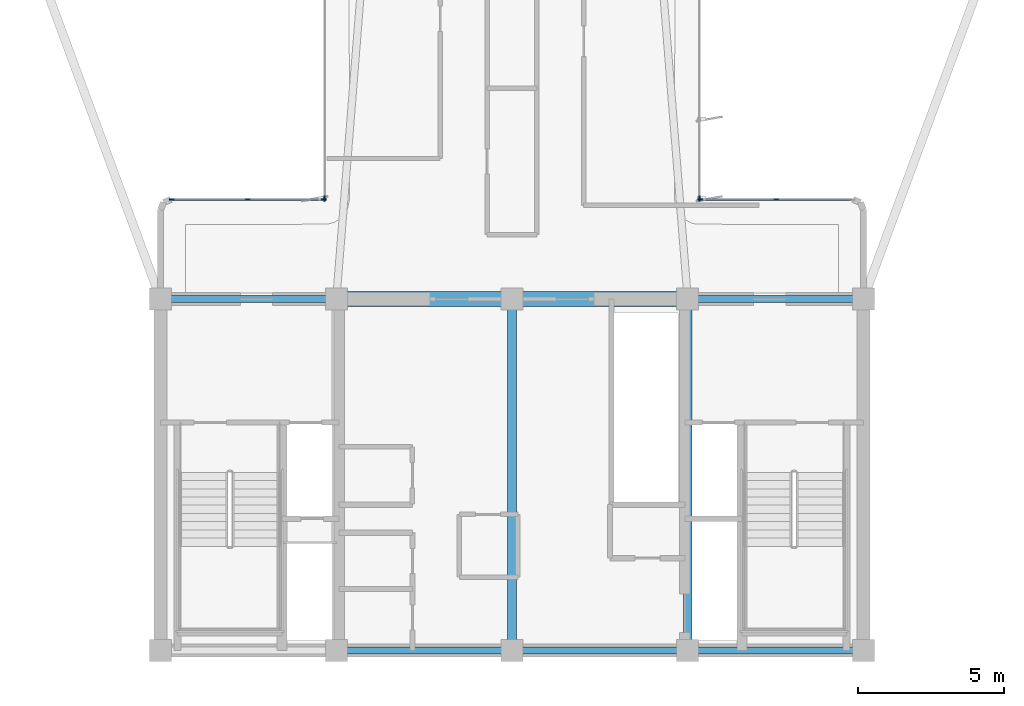
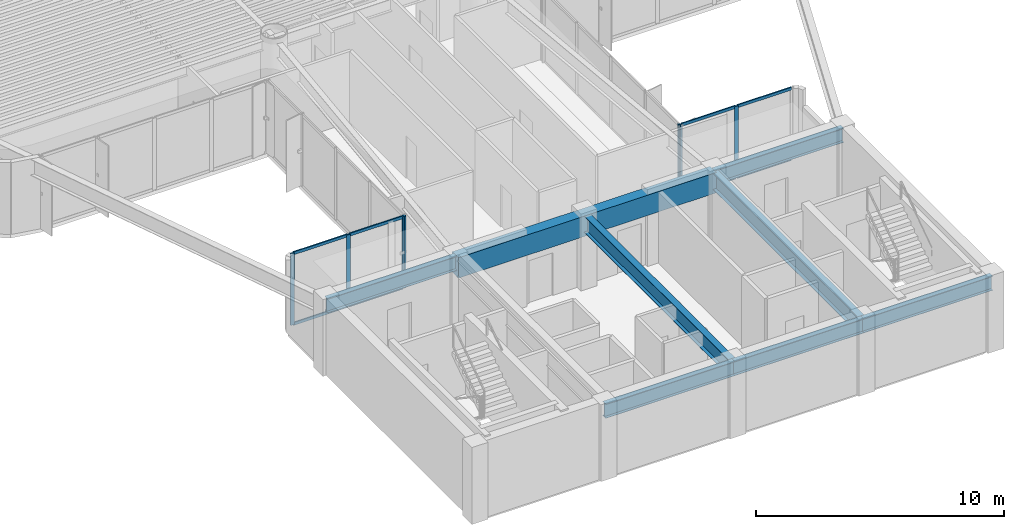
# One storey, part 2 of 15: 15 members, 8 beams, 4 elements without a shape of their own.
"""IFC4 building model written with IfcOpenShell, lengths in metres."""

import ifcopenshell
import ifcopenshell.guid

model = None  # the IFC model being written
_history = None  # IfcOwnerHistory: only IFC2X3 demands one
_inside = {}  # id of a spatial element -> (the spatial element, [elements in it])
_under = {}  # id of a project, library or spatial element -> (it, [spatial elements below it])
_declared = {}  # id of a project -> (the project, [libraries it declares])
_typed = {}  # id of a type object -> (the type object, [elements of that type])
_made_of = {}  # id of a material, layer set ... -> (it, [elements and type objects made of it])


def new_model(schema):
    """Start an empty IFC model of exactly this schema.

    Asked for "IFC4X3", IfcOpenShell would pick the latest addendum, in which some entities
    have other attributes; the version numbers below select the first issue.
    IFC2X3 requires an IfcOwnerHistory on every rooted entity: one is made here for all.
    """
    global model, _history
    if schema == "IFC4X3":
        model = ifcopenshell.file(schema_version=(4, 3, 0, 0))
    else:
        model = ifcopenshell.file(schema=schema)
    _inside.clear()
    _under.clear()
    _declared.clear()
    _typed.clear()
    _made_of.clear()
    _history = None
    if model.schema == "IFC2X3":
        org = make("IfcOrganization", Name="unknown")
        user = make(
            "IfcPersonAndOrganization",
            ThePerson=make("IfcPerson", FamilyName="unknown"),
            TheOrganization=org,
        )
        app = make(
            "IfcApplication",
            ApplicationDeveloper=org,
            Version="unknown",
            ApplicationFullName="unknown",
            ApplicationIdentifier="unknown",
        )
        _history = make(
            "IfcOwnerHistory",
            OwningUser=user,
            OwningApplication=app,
            ChangeAction="ADDED",
            CreationDate=0,
        )
    return model


def make(cls, **values):
    """One entity of the class cls with the attributes given. An attribute that is None is left unset."""
    return model.create_entity(
        cls, **{name: value for name, value in values.items() if value is not None}
    )


def rooted(cls, **values):
    """An entity with a GlobalId (a new one), such as an element, a storey or a relation."""
    return make(cls, GlobalId=ifcopenshell.guid.new(), OwnerHistory=_history, **values)


def si_unit(unit_type, name, prefix=None):
    """IfcSIUnit, for example si_unit("LENGTHUNIT", "METRE", prefix="MILLI")."""
    return make("IfcSIUnit", UnitType=unit_type, Prefix=prefix, Name=name)


def assignment(units):
    """IfcUnitAssignment: the units of a project."""
    return None if units is None else make("IfcUnitAssignment", Units=units)


def point(xyz):
    """IfcCartesianPoint."""
    return None if xyz is None else make("IfcCartesianPoint", Coordinates=xyz)


def direction(xyz):
    """IfcDirection."""
    return None if xyz is None else make("IfcDirection", DirectionRatios=xyz)


def frame(location, z_axis=None, x_axis=None):
    """IfcAxis2Placement3D, a coordinate frame: its origin and axes. An axis left out is left unset."""
    return make(
        "IfcAxis2Placement3D",
        Location=point(location),
        Axis=direction(z_axis),
        RefDirection=direction(x_axis),
    )


def frame_2d(location, x_axis=None):
    """IfcAxis2Placement2D, a coordinate frame in the plane: its origin and x axis."""
    return make(
        "IfcAxis2Placement2D", Location=point(location), RefDirection=direction(x_axis)
    )


def origin():
    """The frame at (0, 0, 0) with its axes left unset."""
    return frame((0.0, 0.0, 0.0))


def origin_2d():
    """The frame at (0, 0) in the plane with its x axis left unset."""
    return frame_2d((0.0, 0.0))


def place(relative_to, where):
    """IfcLocalPlacement: puts the frame where relative to a parent placement (None: the world)."""
    return make(
        "IfcLocalPlacement", PlacementRelTo=relative_to, RelativePlacement=where
    )


def context(
    kind, dimensions, precision=None, world=None, true_north=None, identifier=None
):
    """IfcGeometricRepresentationContext, for example the 3D "Model" context."""
    return make(
        "IfcGeometricRepresentationContext",
        ContextIdentifier=identifier,
        ContextType=kind,
        CoordinateSpaceDimension=dimensions,
        Precision=precision,
        WorldCoordinateSystem=world,
        TrueNorth=true_north,
    )


def subcontext(parent, identifier, kind, view, scale=None):
    """IfcGeometricRepresentationSubContext, for example "Body" below "Model"."""
    return make(
        "IfcGeometricRepresentationSubContext",
        ContextIdentifier=identifier,
        ContextType=kind,
        ParentContext=parent,
        TargetScale=scale,
        TargetView=view,
    )


def project(units=None, contexts=None):
    """IfcProject with its units and contexts."""
    return rooted(
        "IfcProject",
        Name="project",
        RepresentationContexts=contexts,
        UnitsInContext=assignment(units),
    )


def spatial(cls, under=None, at=None, **own):
    """A site, building, storey or space (cls), placed at a placement, below another one or the project."""
    s = rooted(cls, ObjectPlacement=at, **own)
    if under is not None:
        _under.setdefault(under.id(), (under, []))[1].append(s)
    return s


def profile(cls, at=None, kind="AREA", **sizes):
    """A parametric profile (cls). Its sizes go by their IFC names, for example OverallWidth=200.0."""
    return make(cls, ProfileType=kind, Position=at, **sizes)


def rectangle(**sizes):
    """IfcRectangleProfileDef."""
    return profile("IfcRectangleProfileDef", **sizes)


def i_section(**sizes):
    """IfcIShapeProfileDef."""
    return profile("IfcIShapeProfileDef", **sizes)


def extrude(swept, where, along, depth):
    """IfcExtrudedAreaSolid: the profile swept, set in the frame where, extruded along a direction by depth."""
    return make(
        "IfcExtrudedAreaSolid",
        SweptArea=swept,
        Position=where,
        ExtrudedDirection=direction(along),
        Depth=depth,
    )


def shape(context_of_items, identifier, shape_type, items):
    """IfcShapeRepresentation: the items that make up one representation, for example the "Body"."""
    return make(
        "IfcShapeRepresentation",
        ContextOfItems=context_of_items,
        RepresentationIdentifier=identifier,
        RepresentationType=shape_type,
        Items=items,
    )


def source(mapping_origin, context_of_items, identifier, shape_type, items):
    """IfcRepresentationMap: a shape defined once, which mapped items show again and again."""
    return make(
        "IfcRepresentationMap",
        MappingOrigin=mapping_origin,
        MappedRepresentation=shape(context_of_items, identifier, shape_type, items),
    )


def transform(
    local_origin,
    x_axis=None,
    y_axis=None,
    z_axis=None,
    scale=None,
    scale2=None,
    scale3=None,
    uniform=True,
):
    """IfcCartesianTransformationOperator3D, or its non-uniform kind. x_axis, y_axis, z_axis: its Axis1, 2, 3."""
    if uniform:
        return make(
            "IfcCartesianTransformationOperator3D",
            Axis1=direction(x_axis),
            Axis2=direction(y_axis),
            LocalOrigin=point(local_origin),
            Scale=scale,
            Axis3=direction(z_axis),
        )
    return make(
        "IfcCartesianTransformationOperator3DnonUniform",
        Axis1=direction(x_axis),
        Axis2=direction(y_axis),
        LocalOrigin=point(local_origin),
        Scale=scale,
        Axis3=direction(z_axis),
        Scale2=scale2,
        Scale3=scale3,
    )


def mapped(mapping_source, mapping_target):
    """IfcMappedItem: shows the shape of a source again, moved by a transform."""
    return make(
        "IfcMappedItem", MappingSource=mapping_source, MappingTarget=mapping_target
    )


def material(Name=None, Category=None):
    """IfcMaterial."""
    return make("IfcMaterial", Name=Name, Category=Category)


def layer(
    of_material, thickness, ventilated=None, Name=None, Category=None, Priority=None
):
    """IfcMaterialLayer: one layer of a wall or slab, of a material (None: an air gap)."""
    return make(
        "IfcMaterialLayer",
        Material=of_material,
        LayerThickness=thickness,
        IsVentilated=ventilated,
        Name=Name,
        Category=Category,
        Priority=Priority,
    )


def layer_set(layers, Name=None):
    """IfcMaterialLayerSet."""
    return make("IfcMaterialLayerSet", MaterialLayers=layers, LayerSetName=Name)


def material_profile(
    of_material, cross_section, Name=None, Category=None, Priority=None
):
    """IfcMaterialProfile: a cross section and its material."""
    return make(
        "IfcMaterialProfile",
        Name=Name,
        Material=of_material,
        Profile=cross_section,
        Priority=Priority,
        Category=Category,
    )


def profile_set(profiles, Name=None, composite=None):
    """IfcMaterialProfileSet."""
    return make(
        "IfcMaterialProfileSet",
        Name=Name,
        MaterialProfiles=profiles,
        CompositeProfile=composite,
    )


def made_of(thing, what):
    """Note that an element or type object is made of a material, layer set ...; save() writes the relation."""
    if what is not None:
        _made_of.setdefault(what.id(), (what, []))[1].append(thing)
    return thing


def type_object(cls, material=None, **own):
    """A type object (cls), such as IfcWallType, which elements share."""
    return made_of(rooted(cls, **own), material)


def element(
    cls,
    number,
    at=None,
    inside=None,
    cuts=None,
    type_object=None,
    material=None,
    context=None,
    identifier="Body",
    shape_type=None,
    held_by="IfcProductDefinitionShape",
    body=None,
    shapes=None,
    **own,
):
    """One element of the class cls, such as IfcWall. Its Tag is "e" and its number.

    at: its placement. inside: the storey or other place that contains it. cuts: it is an
    opening in that element (IfcRelVoidsElement). A single representation is given by context,
    identifier, shape_type and body (its items); several are given by shapes. held_by: the class
    of the entity that holds the representations. save() writes the other relations.
    """
    e = rooted(cls, Tag="e%d" % number, ObjectPlacement=at, **own)
    if body is not None:
        shapes = [shape(context, identifier, shape_type, body)]
    if shapes is not None:
        e.Representation = make(held_by, Representations=shapes)
    if inside is not None:
        _inside.setdefault(inside.id(), (inside, []))[1].append(e)
    if cuts is not None:
        rooted(
            "IfcRelVoidsElement", RelatingBuildingElement=cuts, RelatedOpeningElement=e
        )
    if type_object is not None:
        _typed.setdefault(type_object.id(), (type_object, []))[1].append(e)
    return made_of(e, material)


def aggregate(whole, parts):
    """IfcRelAggregates: a whole, such as a stair, and the parts it consists of."""
    return rooted("IfcRelAggregates", RelatingObject=whole, RelatedObjects=parts)


def save(model, path):
    """Write the relations noted so far, then the file.

    IfcRelAggregates (storeys below a building ...), IfcRelContainedInSpatialStructure (elements
    in a storey), IfcRelDefinesByType, IfcRelAssociatesMaterial and IfcRelDeclares: one each for
    every whole, place, type object, material and project.
    """
    for whole, parts in _under.values():
        aggregate(whole, parts)
    for where, things in _inside.values():
        rooted(
            "IfcRelContainedInSpatialStructure",
            RelatedElements=things,
            RelatingStructure=where,
        )
    for kind, things in _typed.values():
        rooted("IfcRelDefinesByType", RelatedObjects=things, RelatingType=kind)
    for what, things in _made_of.values():
        rooted("IfcRelAssociatesMaterial", RelatedObjects=things, RelatingMaterial=what)
    for by, libraries in _declared.values():
        rooted("IfcRelDeclares", RelatingContext=by, RelatedDefinitions=libraries)
    model.write(path)


model = new_model("IFC4")

# Units and contexts
model_context = context("Model", 3, precision=1e-05, world=origin(), true_north=direction((0.0, 1.0)))
body_context = subcontext(model_context, "Body", "Model", "MODEL_VIEW")
ifc_project = project(units=[si_unit("LENGTHUNIT", "METRE"), si_unit("AREAUNIT", "SQUARE_METRE"), si_unit("VOLUMEUNIT", "CUBIC_METRE"), si_unit("PLANEANGLEUNIT", "RADIAN"), si_unit("MASSUNIT", "GRAM", prefix="KILO")], contexts=[model_context])

# Site, building, storey
site_placement = place(None, origin())
site = spatial("IfcSite", under=ifc_project, at=site_placement, CompositionType="ELEMENT")
building_placement = place(site_placement, origin())
building = spatial("IfcBuilding", under=site, at=building_placement, Name="Brelvock Crest Care Tower", CompositionType="ELEMENT")
storey_placement = place(building_placement, frame((0.0, 0.0, 167.760009765625)))
storey = spatial("IfcBuildingStorey", under=building, at=storey_placement, Name="L42", CompositionType="ELEMENT", Elevation=167.760009765625)

# Beams
ifc_material_1 = material(Name="Steel Grade 350", Category="steel")
ifc_material_profile_1 = material_profile(ifc_material_1, i_section(OverallWidth=0.25, OverallDepth=0.699951171875, WebThickness=0.011962890625, FlangeThickness=0.02001953125, at=origin_2d()), Name="700WB150")
ifc_profile_set_1 = profile_set([ifc_material_profile_1], Name="Steel Grade 350")
beam_type_1 = type_object("IfcBeamType", Name="BM-G4", PredefinedType="BEAM", material=ifc_profile_set_1)
shared_shape_1 = source(origin(), body_context, "Body", "SweptSolid", [
    extrude(i_section(OverallWidth=0.25, OverallDepth=0.699951171875, WebThickness=0.011962890625, FlangeThickness=0.02001953125, at=origin_2d()), origin(), (0.0, 0.0, 1.0), 6.0),
])
for number, where, z_axis, x_axis, name in (
    (1, (24.0, 18.0, 3.179931640625), (1.0, 0.0, 0.0), (0.0, 1.0, 0.0), "BM-COREN-L42-1"),
    (2, (30.0, 6.0, 3.179931640625), (1.0, 0.0, 0.0), (0.0, 1.0, 0.0), "BM-CORES-L42-2"),
    (3, (36.0, 6.0, 3.179931640625), (1.0, 0.0, 0.0), (0.0, 1.0, 0.0), "BM-CORES-L42-3"),
    (4, (42.0, 6.0, 3.179931640625), (1.0, 0.0, 0.0), (0.0, 1.0, 0.0), "BM-CORES-L42-4"),
    (5, (42.0, 18.0, 3.179931640625), (1.0, 0.0, 0.0), (0.0, 1.0, 0.0), "BM-COREN-L42-4"),
):
    element("IfcBeam", number, at=place(storey_placement, frame(where, z_axis=z_axis, x_axis=x_axis)), inside=storey, type_object=beam_type_1, Name=name, PredefinedType="BEAM", context=body_context, shape_type="MappedRepresentation", body=[
        mapped(shared_shape_1, transform((0.0, 0.0, 0.0), x_axis=(1.0, 0.0, 0.0), y_axis=(0.0, 1.0, 0.0), z_axis=(0.0, 0.0, 1.0), scale=1.0)),
    ])
ifc_material_profile_2 = material_profile(ifc_material_1, i_section(OverallWidth=0.300048828125, OverallDepth=0.800048828125, WebThickness=0.013916015625, FlangeThickness=0.02197265625, at=origin_2d()), Name="800WB192")
ifc_profile_set_2 = profile_set([ifc_material_profile_2], Name="Steel Grade 350")
beam_type_2 = type_object("IfcBeamType", Name="BM-G5", PredefinedType="BEAM", material=ifc_profile_set_2)
shared_shape_2 = source(origin(), body_context, "Body", "SweptSolid", [
    extrude(i_section(OverallWidth=0.300048828125, OverallDepth=0.800048828125, WebThickness=0.013916015625, FlangeThickness=0.02197265625, at=origin_2d()), origin(), (0.0, 0.0, 1.0), 12.0),
])
for number, where, z_axis, x_axis, name in (
    (6, (36.0, 6.0, 3.1298828125), (0.0, 1.0, 0.0), (-1.0, 0.0, 0.0), "BM-COREX-L42-3"),
    (7, (42.0, 6.0, 3.1298828125), (0.0, 1.0, 0.0), (-1.0, 0.0, 0.0), "BM-COREX-L42-4"),
):
    element("IfcBeam", number, at=place(storey_placement, frame(where, z_axis=z_axis, x_axis=x_axis)), inside=storey, type_object=beam_type_2, Name=name, PredefinedType="BEAM", context=body_context, shape_type="MappedRepresentation", body=[
        mapped(shared_shape_2, transform((0.0, 0.0, 0.0), x_axis=(1.0, 0.0, 0.0), y_axis=(0.0, 1.0, 0.0), z_axis=(0.0, 0.0, 1.0), scale=1.0)),
    ])
ifc_material_2 = material(Name="Concrete S65 (65 MPa)", Category="concrete")
ifc_material_profile_3 = material_profile(ifc_material_2, rectangle(XDim=0.5, YDim=1.0, at=origin_2d()), Name="RC500x1000")
ifc_profile_set_3 = profile_set([ifc_material_profile_3], Name="Concrete S65 (65 MPa)")
beam_type_3 = type_object("IfcBeamType", Name="BM-LN2", PredefinedType="LINTEL", material=ifc_profile_set_3)
shared_shape_3 = source(origin(), body_context, "Body", "SweptSolid", [
    extrude(rectangle(XDim=0.5, YDim=1.0, at=origin_2d()), origin(), (0.0, 0.0, 1.0), 12.0),
])
beam_placement = place(storey_placement, frame((30.0, 18.0, 3.030029296875), z_axis=(1.0, 0.0, 0.0), x_axis=(0.0, 1.0, 0.0)))
element("IfcBeam", 8, at=beam_placement, inside=storey, type_object=beam_type_3, Name="L42 Core Coupling Lintel Beam", PredefinedType="LINTEL", context=body_context, shape_type="MappedRepresentation", body=[
    mapped(shared_shape_3, transform((0.0, 0.0, 0.0), x_axis=(1.0, 0.0, 0.0), y_axis=(0.0, 1.0, 0.0), z_axis=(0.0, 0.0, 1.0), scale=1.0)),
])

# Curtain wall, members
ifc_material_3 = material(Name="Dark Glass Double Glazed Low-E", Category="glass")
ifc_layer = layer(ifc_material_3, 0.22509765625, Name="CWS-4")
ifc_layer_set = layer_set([ifc_layer], Name="Dark Glass Double Glazed Low-E")
curtain_wall_type = type_object("IfcCurtainWallType", Name="CWS-4", PredefinedType="NOTDEFINED", material=ifc_layer_set)
curtain_wall_1_placement = place(storey_placement, origin())
curtain_wall_1 = element("IfcCurtainWall", 9, at=curtain_wall_1_placement, inside=storey, type_object=curtain_wall_type, Name="L42 Curtain Wall E10", PredefinedType="NOTDEFINED")
ifc_material_4 = material(Name="Aluminium 6063-T6", Category="aluminium")
ifc_material_profile_4 = material_profile(ifc_material_4, rectangle(XDim=0.06005859375, YDim=0.179931640625, at=origin_2d()), Name="ALU60x180")
ifc_profile_set_4 = profile_set([ifc_material_profile_4], Name="Aluminium 6063-T6")
member_type_1 = type_object("IfcMemberType", Name="CWM-2", PredefinedType="MULLION", material=ifc_profile_set_4)
shared_shape_4 = source(origin(), body_context, "Body", "SweptSolid", [
    extrude(rectangle(XDim=0.06005859375, YDim=0.179931640625, at=origin_2d()), origin(), (0.0, 0.0, 1.0), 3.530029296875),
])
member_1_placement = place(storey_placement, frame((24.3798828125, 21.39990234375, 0.0), z_axis=(0.0, 0.0, 1.0), x_axis=(0.0, 1.0, 0.0)))
member_1 = element("IfcMember", 10, at=member_1_placement, type_object=member_type_1, Name="CW-4 mullion 1", PredefinedType="MULLION", context=body_context, shape_type="MappedRepresentation", body=[
    mapped(shared_shape_4, transform((0.0, 0.0, 0.0), x_axis=(1.0, 0.0, 0.0), y_axis=(0.0, 1.0, 0.0), z_axis=(0.0, 0.0, 1.0), scale=1.0)),
])
member_2_placement = place(storey_placement, frame((26.97509765625, 21.39990234375, 0.0), z_axis=(0.0, 0.0, 1.0), x_axis=(0.0, 1.0, 0.0)))
member_2 = element("IfcMember", 11, at=member_2_placement, type_object=member_type_1, Name="CW-4 mullion 2", PredefinedType="MULLION", context=body_context, shape_type="MappedRepresentation", body=[
    mapped(shared_shape_4, transform((0.0, 0.0, 0.0), x_axis=(1.0, 0.0, 0.0), y_axis=(0.0, 1.0, 0.0), z_axis=(0.0, 0.0, 1.0), scale=1.0)),
])
member_3_placement = place(storey_placement, frame((29.570068359375, 21.39990234375, 0.0), z_axis=(0.0, 0.0, 1.0), x_axis=(0.0, 1.0, 0.0)))
member_3 = element("IfcMember", 12, at=member_3_placement, type_object=member_type_1, Name="CW-4 mullion 3", PredefinedType="MULLION", context=body_context, shape_type="MappedRepresentation", body=[
    mapped(shared_shape_4, transform((0.0, 0.0, 0.0), x_axis=(1.0, 0.0, 0.0), y_axis=(0.0, 1.0, 0.0), z_axis=(0.0, 0.0, 1.0), scale=1.0)),
])

# Curtain wall, member
curtain_wall_2_placement = place(storey_placement, origin())
curtain_wall_2 = element("IfcCurtainWall", 13, at=curtain_wall_2_placement, inside=storey, type_object=curtain_wall_type, Name="L42 Curtain Wall E11", PredefinedType="NOTDEFINED")
member_4_placement = place(storey_placement, frame((29.60009765625, 21.429931640625, 0.0), z_axis=(0.0, 0.0, 1.0), x_axis=(-1.0, 0.0, 0.0)))
member_4 = element("IfcMember", 14, at=member_4_placement, type_object=member_type_1, Name="CW-4 mullion 1", PredefinedType="MULLION", context=body_context, shape_type="MappedRepresentation", body=[
    mapped(shared_shape_4, transform((0.0, 0.0, 0.0), x_axis=(1.0, 0.0, 0.0), y_axis=(0.0, 1.0, 0.0), z_axis=(0.0, 0.0, 1.0), scale=1.0)),
])
aggregate(curtain_wall_2, [member_4])

curtain_wall_3_placement = place(storey_placement, origin())
curtain_wall_3 = element("IfcCurtainWall", 15, at=curtain_wall_3_placement, inside=storey, type_object=curtain_wall_type, Name="L42 Curtain Wall E45", PredefinedType="NOTDEFINED")
member_5_placement = place(storey_placement, frame((42.39990234375, 21.429931640625, 0.0), z_axis=(0.0, 0.0, 1.0), x_axis=(1.0, 0.0, 0.0)))
member_5 = element("IfcMember", 16, at=member_5_placement, type_object=member_type_1, Name="CW-4 mullion 5", PredefinedType="MULLION", context=body_context, shape_type="MappedRepresentation", body=[
    mapped(shared_shape_4, transform((0.0, 0.0, 0.0), x_axis=(1.0, 0.0, 0.0), y_axis=(0.0, 1.0, 0.0), z_axis=(0.0, 0.0, 1.0), scale=1.0)),
])
aggregate(curtain_wall_3, [member_5])

# Curtain wall, members
curtain_wall_4_placement = place(storey_placement, origin())
curtain_wall_4 = element("IfcCurtainWall", 17, at=curtain_wall_4_placement, inside=storey, type_object=curtain_wall_type, Name="L42 Curtain Wall E46", PredefinedType="NOTDEFINED")
member_6_placement = place(storey_placement, frame((42.429931640625, 21.39990234375, 0.0), z_axis=(0.0, 0.0, 1.0), x_axis=(0.0, 1.0, 0.0)))
member_6 = element("IfcMember", 18, at=member_6_placement, type_object=member_type_1, Name="CW-4 mullion 1", PredefinedType="MULLION", context=body_context, shape_type="MappedRepresentation", body=[
    mapped(shared_shape_4, transform((0.0, 0.0, 0.0), x_axis=(1.0, 0.0, 0.0), y_axis=(0.0, 1.0, 0.0), z_axis=(0.0, 0.0, 1.0), scale=1.0)),
])
member_7_placement = place(storey_placement, frame((45.02490234375, 21.39990234375, 0.0), z_axis=(0.0, 0.0, 1.0), x_axis=(0.0, 1.0, 0.0)))
member_7 = element("IfcMember", 19, at=member_7_placement, type_object=member_type_1, Name="CW-4 mullion 2", PredefinedType="MULLION", context=body_context, shape_type="MappedRepresentation", body=[
    mapped(shared_shape_4, transform((0.0, 0.0, 0.0), x_axis=(1.0, 0.0, 0.0), y_axis=(0.0, 1.0, 0.0), z_axis=(0.0, 0.0, 1.0), scale=1.0)),
])

# Member
ifc_material_profile_5 = material_profile(ifc_material_4, rectangle(XDim=0.06005859375, YDim=0.139892578125, at=origin_2d()), Name="ALU60x140")
ifc_profile_set_5 = profile_set([ifc_material_profile_5], Name="Aluminium 6063-T6")
member_type_2 = type_object("IfcMemberType", Name="CWT-2", PredefinedType="USERDEFINED", material=ifc_profile_set_5)
shared_shape_5 = source(origin(), body_context, "Body", "SweptSolid", [
    extrude(rectangle(XDim=0.06005859375, YDim=0.139892578125, at=origin_2d()), origin(), (0.0, 0.0, 1.0), 2.53515625),
])
member_8_placement = place(storey_placement, frame((24.409912109375, 21.39990234375, 0.030029296875), z_axis=(1.0, 0.0, 0.0), x_axis=(0.0, 1.0, 0.0)))
member_8 = element("IfcMember", 20, at=member_8_placement, type_object=member_type_2, Name="CW-4 transom 1.1", ObjectType="TRANSOM", PredefinedType="USERDEFINED", context=body_context, shape_type="MappedRepresentation", body=[
    mapped(shared_shape_5, transform((0.0, 0.0, 0.0), x_axis=(1.0, 0.0, 0.0), y_axis=(0.0, 1.0, 0.0), z_axis=(0.0, 0.0, 1.0), scale=1.0)),
])

member_9_placement = place(storey_placement, frame((24.409912109375, 21.39990234375, 3.5), z_axis=(1.0, 0.0, 0.0), x_axis=(0.0, 1.0, 0.0)))
member_9 = element("IfcMember", 21, at=member_9_placement, type_object=member_type_2, Name="CW-4 transom 1.2", ObjectType="TRANSOM", PredefinedType="USERDEFINED", context=body_context, shape_type="MappedRepresentation", body=[
    mapped(shared_shape_5, transform((0.0, 0.0, 0.0), x_axis=(1.0, 0.0, 0.0), y_axis=(0.0, 1.0, 0.0), z_axis=(0.0, 0.0, 1.0), scale=1.0)),
])

member_10_placement = place(storey_placement, frame((27.0048828125, 21.39990234375, 0.030029296875), z_axis=(1.0, 0.0, 0.0), x_axis=(0.0, 1.0, 0.0)))
member_10 = element("IfcMember", 22, at=member_10_placement, type_object=member_type_2, Name="CW-4 transom 2.1", ObjectType="TRANSOM", PredefinedType="USERDEFINED", context=body_context, shape_type="MappedRepresentation", body=[
    mapped(shared_shape_5, transform((0.0, 0.0, 0.0), x_axis=(1.0, 0.0, 0.0), y_axis=(0.0, 1.0, 0.0), z_axis=(0.0, 0.0, 1.0), scale=1.0)),
])

member_11_placement = place(storey_placement, frame((27.0048828125, 21.39990234375, 3.5), z_axis=(1.0, 0.0, 0.0), x_axis=(0.0, 1.0, 0.0)))
member_11 = element("IfcMember", 23, at=member_11_placement, type_object=member_type_2, Name="CW-4 transom 2.2", ObjectType="TRANSOM", PredefinedType="USERDEFINED", context=body_context, shape_type="MappedRepresentation", body=[
    mapped(shared_shape_5, transform((0.0, 0.0, 0.0), x_axis=(1.0, 0.0, 0.0), y_axis=(0.0, 1.0, 0.0), z_axis=(0.0, 0.0, 1.0), scale=1.0)),
])

aggregate(curtain_wall_1, [member_1, member_2, member_3, member_8, member_9, member_10, member_11])

member_12_placement = place(storey_placement, frame((42.4599609375, 21.39990234375, 0.030029296875), z_axis=(1.0, 0.0, 0.0), x_axis=(0.0, 1.0, 0.0)))
member_12 = element("IfcMember", 24, at=member_12_placement, type_object=member_type_2, Name="CW-4 transom 1.1", ObjectType="TRANSOM", PredefinedType="USERDEFINED", context=body_context, shape_type="MappedRepresentation", body=[
    mapped(shared_shape_5, transform((0.0, 0.0, 0.0), x_axis=(1.0, 0.0, 0.0), y_axis=(0.0, 1.0, 0.0), z_axis=(0.0, 0.0, 1.0), scale=1.0)),
])

member_13_placement = place(storey_placement, frame((42.4599609375, 21.39990234375, 3.5), z_axis=(1.0, 0.0, 0.0), x_axis=(0.0, 1.0, 0.0)))
member_13 = element("IfcMember", 25, at=member_13_placement, type_object=member_type_2, Name="CW-4 transom 1.2", ObjectType="TRANSOM", PredefinedType="USERDEFINED", context=body_context, shape_type="MappedRepresentation", body=[
    mapped(shared_shape_5, transform((0.0, 0.0, 0.0), x_axis=(1.0, 0.0, 0.0), y_axis=(0.0, 1.0, 0.0), z_axis=(0.0, 0.0, 1.0), scale=1.0)),
])

member_14_placement = place(storey_placement, frame((45.054931640625, 21.39990234375, 0.030029296875), z_axis=(1.0, 0.0, 0.0), x_axis=(0.0, 1.0, 0.0)))
member_14 = element("IfcMember", 26, at=member_14_placement, type_object=member_type_2, Name="CW-4 transom 2.1", ObjectType="TRANSOM", PredefinedType="USERDEFINED", context=body_context, shape_type="MappedRepresentation", body=[
    mapped(shared_shape_5, transform((0.0, 0.0, 0.0), x_axis=(1.0, 0.0, 0.0), y_axis=(0.0, 1.0, 0.0), z_axis=(0.0, 0.0, 1.0), scale=1.0)),
])

member_15_placement = place(storey_placement, frame((45.054931640625, 21.39990234375, 3.5), z_axis=(1.0, 0.0, 0.0), x_axis=(0.0, 1.0, 0.0)))
member_15 = element("IfcMember", 27, at=member_15_placement, type_object=member_type_2, Name="CW-4 transom 2.2", ObjectType="TRANSOM", PredefinedType="USERDEFINED", context=body_context, shape_type="MappedRepresentation", body=[
    mapped(shared_shape_5, transform((0.0, 0.0, 0.0), x_axis=(1.0, 0.0, 0.0), y_axis=(0.0, 1.0, 0.0), z_axis=(0.0, 0.0, 1.0), scale=1.0)),
])

aggregate(curtain_wall_4, [member_6, member_7, member_12, member_13, member_14, member_15])

save(model, "model.ifc")
